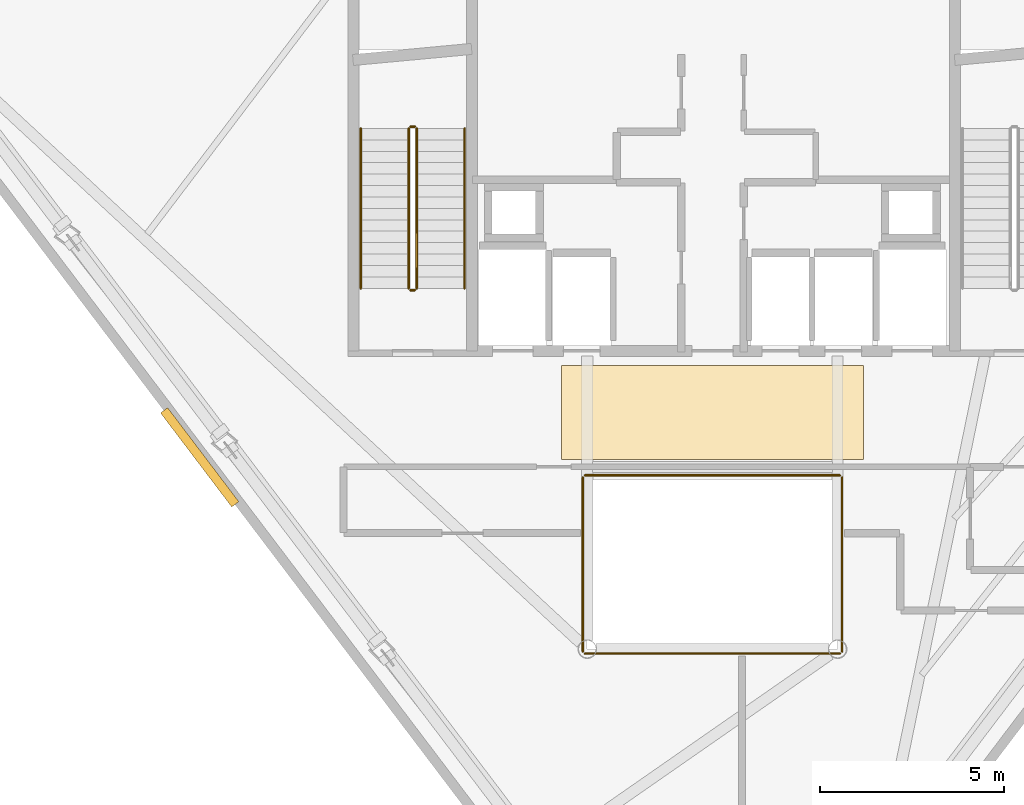
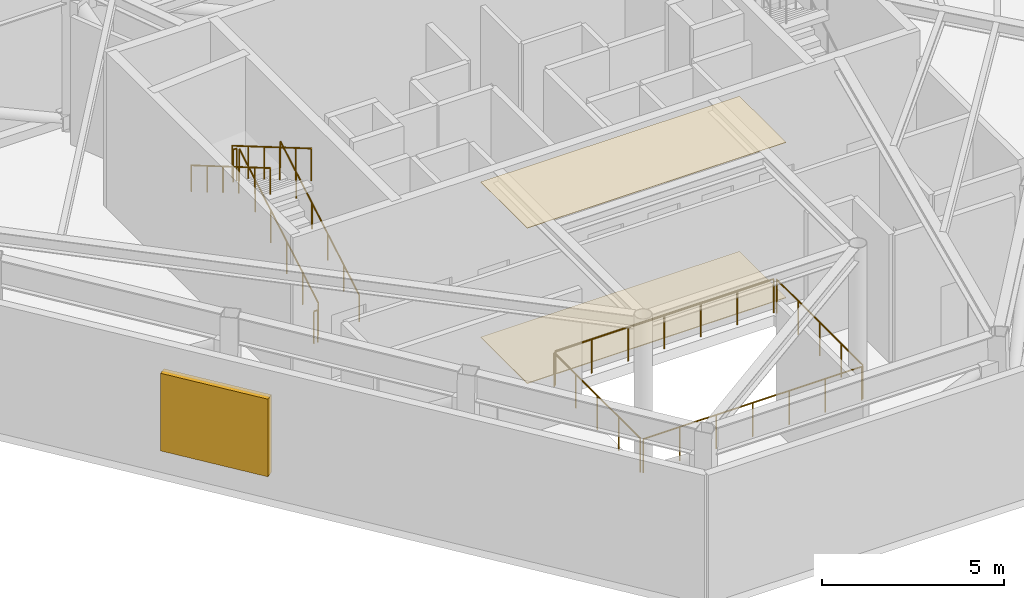
# One storey, part 7 of 9: 10 railings, 2 coverings, 1 shading device.
"""IFC4 building model written with IfcOpenShell, lengths in metres."""

from ifc_helpers import new_model, si_unit, direction, frame, origin, origin_2d, place, context, subcontext, project, spatial, polyline, rectangle, circle, outline, extrude, material, layer, layer_set, type_object, element, save


model = new_model("IFC4")

# Units and contexts
model_context = context("Model", 3, precision=1e-05, world=origin(), true_north=direction((0.0, 1.0)))
body_context = subcontext(model_context, "Body", "Model", "MODEL_VIEW")
ifc_project = project(units=[si_unit("LENGTHUNIT", "METRE"), si_unit("AREAUNIT", "SQUARE_METRE"), si_unit("VOLUMEUNIT", "CUBIC_METRE"), si_unit("PLANEANGLEUNIT", "RADIAN"), si_unit("MASSUNIT", "GRAM", prefix="KILO")], contexts=[model_context])

# Site, building, storey
site_placement = place(None, origin())
site = spatial("IfcSite", under=ifc_project, at=site_placement, CompositionType="ELEMENT")
building_placement = place(site_placement, origin())
building = spatial("IfcBuilding", under=site, at=building_placement, Name="Zarrinselat Tower", CompositionType="ELEMENT")
storey_placement = place(building_placement, frame((0.0, 0.0, 252.9599609375)))
storey = spatial("IfcBuildingStorey", under=building, at=storey_placement, Name="L64", CompositionType="ELEMENT", Elevation=252.9599609375)

# Coverings
ifc_material_1 = material(Name="Fire-Rated Gypsum Board Partition")
ifc_layer_1 = layer(ifc_material_1, 0.014892578125)
ifc_layer_set_1 = layer_set([ifc_layer_1], Name="Fire-Rated Gypsum Board Partition")
covering_type_1 = type_object("IfcCoveringType", Name="COV-CLG-AC15", PredefinedType="CEILING", material=ifc_layer_set_1)
covering_1_placement = place(storey_placement, frame((0.0, 0.0, 5.205078125)))
element("IfcCovering", 1, at=covering_1_placement, inside=storey, type_object=covering_type_1, Name="L64 Lift Lobby Acoustic Ceiling", PredefinedType="CEILING", context=body_context, shape_type="SweptSolid", body=[
    extrude(outline(polyline([(34.300048828125, 30.35009765625), (42.5, 30.35009765625), (42.5, 32.89990234375), (34.300048828125, 32.89990234375), (34.300048828125, 30.35009765625)])), origin(), (0.0, 0.0, 1.0), 0.014892578125),
])
ifc_material_2 = material(Name="Honed Cream Travertine Stone", Category="masonry")
ifc_layer_2 = layer(ifc_material_2, 0.02490234375)
ifc_layer_set_2 = layer_set([ifc_layer_2], Name="Honed Cream Travertine Stone")
covering_type_2 = type_object("IfcCoveringType", Name="COV-FLR-ST25", PredefinedType="FLOORING", material=ifc_layer_set_2)
covering_2_placement = place(storey_placement, origin())
element("IfcCovering", 2, at=covering_2_placement, inside=storey, type_object=covering_type_2, Name="L64 Lift Lobby Stone Flooring", PredefinedType="FLOORING", context=body_context, shape_type="SweptSolid", body=[
    extrude(outline(polyline([(34.300048828125, 30.35009765625), (42.5, 30.35009765625), (42.5, 32.89990234375), (34.300048828125, 32.89990234375), (34.300048828125, 30.35009765625)])), origin(), (0.0, 0.0, 1.0), 0.025146484375),
])

# Railings
ifc_material_3 = material(Name="Double Low-E Laminated Solar Glass", Category="glass")
railing_type_1 = type_object("IfcRailingType", Name="RLG-ATRIUM-BAL", PredefinedType="BALUSTRADE", material=ifc_material_3)
railing_1_placement = place(storey_placement, frame((34.93994140625, 25.080078125, 0.0)))
element("IfcRailing", 3, at=railing_1_placement, inside=storey, type_object=railing_type_1, Name="L64 Atrium Void Glass Balustrade S", PredefinedType="BALUSTRADE", context=body_context, shape_type="SweptSolid", body=[
    extrude(circle(Radius=0.02392578125, at=origin_2d()), frame((0.0, 0.0, 1.1259765625), z_axis=(1.0, 0.0, 0.0), x_axis=(0.0, 1.0, 0.0)), (0.0, 0.0, 1.0), 6.920166015625),
    extrude(circle(Radius=0.02099609375, at=origin_2d()), origin(), (0.0, 0.0, 1.0), 1.099853515625),
    extrude(circle(Radius=0.02099609375, at=origin_2d()), frame((1.1533203125, 0.0, 0.0)), (0.0, 0.0, 1.0), 1.099853515625),
    extrude(circle(Radius=0.02099609375, at=origin_2d()), frame((2.306640625, 0.0, 0.0)), (0.0, 0.0, 1.0), 1.099853515625),
    extrude(circle(Radius=0.02099609375, at=origin_2d()), frame((3.4599609375, 0.0, 0.0)), (0.0, 0.0, 1.0), 1.099853515625),
    extrude(circle(Radius=0.02099609375, at=origin_2d()), frame((4.613525390625, 0.0, 0.0)), (0.0, 0.0, 1.0), 1.099853515625),
    extrude(circle(Radius=0.02099609375, at=origin_2d()), frame((5.766845703125, 0.0, 0.0)), (0.0, 0.0, 1.0), 1.099853515625),
    extrude(circle(Radius=0.02099609375, at=origin_2d()), frame((6.920166015625, 0.0, 0.0)), (0.0, 0.0, 1.0), 1.099853515625),
])
railing_2_placement = place(storey_placement, frame((41.919921875, 25.139892578125, 0.0)))
element("IfcRailing", 4, at=railing_2_placement, inside=storey, type_object=railing_type_1, Name="L64 Atrium Void Glass Balustrade E", PredefinedType="BALUSTRADE", context=body_context, shape_type="SweptSolid", body=[
    extrude(circle(Radius=0.02392578125, at=origin_2d()), frame((0.0, 0.0, 1.1259765625), z_axis=(0.0, 1.0, 0.0), x_axis=(-1.0, 0.0, 0.0)), (0.0, 0.0, 1.0), 4.72021484375),
    extrude(circle(Radius=0.02099609375, at=origin_2d()), origin(), (0.0, 0.0, 1.0), 1.099853515625),
    extrude(circle(Radius=0.02099609375, at=origin_2d()), frame((0.0, 1.18017578125, 0.0)), (0.0, 0.0, 1.0), 1.099853515625),
    extrude(circle(Radius=0.02099609375, at=origin_2d()), frame((0.0, 2.360107421875, 0.0)), (0.0, 0.0, 1.0), 1.099853515625),
    extrude(circle(Radius=0.02099609375, at=origin_2d()), frame((0.0, 3.5400390625, 0.0)), (0.0, 0.0, 1.0), 1.099853515625),
    extrude(circle(Radius=0.02099609375, at=origin_2d()), frame((0.0, 4.72021484375, 0.0)), (0.0, 0.0, 1.0), 1.099853515625),
])
railing_3_placement = place(storey_placement, frame((41.860107421875, 29.919921875, 0.0)))
element("IfcRailing", 5, at=railing_3_placement, inside=storey, type_object=railing_type_1, Name="L64 Atrium Void Glass Balustrade N", PredefinedType="BALUSTRADE", context=body_context, shape_type="SweptSolid", body=[
    extrude(circle(Radius=0.02392578125, at=origin_2d()), frame((0.0, 0.0, 1.1259765625), z_axis=(-1.0, 0.0, 0.0), x_axis=(0.0, -1.0, 0.0)), (0.0, 0.0, 1.0), 6.920166015625),
    extrude(circle(Radius=0.02099609375, at=origin_2d()), origin(), (0.0, 0.0, 1.0), 1.099853515625),
    extrude(circle(Radius=0.02099609375, at=origin_2d()), frame((-1.1533203125, 0.0, 0.0)), (0.0, 0.0, 1.0), 1.099853515625),
    extrude(circle(Radius=0.02099609375, at=origin_2d()), frame((-2.306640625, 0.0, 0.0)), (0.0, 0.0, 1.0), 1.099853515625),
    extrude(circle(Radius=0.02099609375, at=origin_2d()), frame((-3.4599609375, 0.0, 0.0)), (0.0, 0.0, 1.0), 1.099853515625),
    extrude(circle(Radius=0.02099609375, at=origin_2d()), frame((-4.613525390625, 0.0, 0.0)), (0.0, 0.0, 1.0), 1.099853515625),
    extrude(circle(Radius=0.02099609375, at=origin_2d()), frame((-5.766845703125, 0.0, 0.0)), (0.0, 0.0, 1.0), 1.099853515625),
    extrude(circle(Radius=0.02099609375, at=origin_2d()), frame((-6.920166015625, 0.0, 0.0)), (0.0, 0.0, 1.0), 1.099853515625),
])
railing_4_placement = place(storey_placement, frame((34.8798828125, 29.860107421875, 0.0)))
element("IfcRailing", 6, at=railing_4_placement, inside=storey, type_object=railing_type_1, Name="L64 Atrium Void Glass Balustrade W", PredefinedType="BALUSTRADE", context=body_context, shape_type="SweptSolid", body=[
    extrude(circle(Radius=0.02392578125, at=origin_2d()), frame((0.0, 0.0, 1.1259765625), z_axis=(0.0, -1.0, 0.0), x_axis=(1.0, 0.0, 0.0)), (0.0, 0.0, 1.0), 4.72021484375),
    extrude(circle(Radius=0.02099609375, at=origin_2d()), origin(), (0.0, 0.0, 1.0), 1.099853515625),
    extrude(circle(Radius=0.02099609375, at=origin_2d()), frame((0.0, -1.18017578125, 0.0)), (0.0, 0.0, 1.0), 1.099853515625),
    extrude(circle(Radius=0.02099609375, at=origin_2d()), frame((0.0, -2.360107421875, 0.0)), (0.0, 0.0, 1.0), 1.099853515625),
    extrude(circle(Radius=0.02099609375, at=origin_2d()), frame((0.0, -3.5400390625, 0.0)), (0.0, 0.0, 1.0), 1.099853515625),
    extrude(circle(Radius=0.02099609375, at=origin_2d()), frame((0.0, -4.72021484375, 0.0)), (0.0, 0.0, 1.0), 1.099853515625),
])
ifc_material_4 = material(Name="Steel S355J2", Category="steel")
railing_type_2 = type_object("IfcRailingType", Name="RLG-STAIR-GUARD", PredefinedType="GUARDRAIL", material=ifc_material_4)
railing_5_placement = place(storey_placement, frame((30.3701171875, 35.0, 0.181396484375)))
element("IfcRailing", 7, at=railing_5_placement, inside=storey, type_object=railing_type_2, Name="L64 ST-1 stair guard 1", PredefinedType="GUARDRAIL", context=body_context, shape_type="SweptSolid", body=[
    extrude(circle(Radius=0.02392578125, at=origin_2d()), frame((0.0, 0.0, 1.076171875), z_axis=(0.0, 0.863184808233, 0.504888093379), x_axis=(-1.0, 0.0, 0.0)), (0.0, 0.0, 1.0), 5.028076171875),
    extrude(circle(Radius=0.02099609375, at=origin_2d()), origin(), (0.0, 0.0, 1.0), 1.050048828125),
    extrude(circle(Radius=0.02099609375, at=origin_2d()), frame((0.0, 0.867919921875, 0.5078125)), (0.0, 0.0, 1.0), 1.050048828125),
    extrude(circle(Radius=0.02099609375, at=origin_2d()), frame((0.0, 1.736083984375, 1.015380859375)), (0.0, 0.0, 1.0), 1.050048828125),
    extrude(circle(Radius=0.02099609375, at=origin_2d()), frame((0.0, 2.60400390625, 1.523193359375)), (0.0, 0.0, 1.0), 1.050048828125),
    extrude(circle(Radius=0.02099609375, at=origin_2d()), frame((0.0, 3.47216796875, 2.03076171875)), (0.0, 0.0, 1.0), 1.050048828125),
    extrude(circle(Radius=0.02099609375, at=origin_2d()), frame((0.0, 4.340087890625, 2.53857421875)), (0.0, 0.0, 1.0), 1.050048828125),
])
railing_6_placement = place(storey_placement, frame((30.320068359375, 39.389892578125, 2.719970703125)))
element("IfcRailing", 8, at=railing_6_placement, inside=storey, type_object=railing_type_2, Name="L64 ST-1 stair guard 2", PredefinedType="GUARDRAIL", context=body_context, shape_type="SweptSolid", body=[
    extrude(circle(Radius=0.02392578125, at=origin_2d()), frame((0.0, 0.0, 1.076171875), z_axis=(-1.0, 0.0, 0.0), x_axis=(0.0, -1.0, 0.0)), (0.0, 0.0, 1.0), 0.1201171875),
    extrude(circle(Radius=0.02099609375, at=origin_2d()), origin(), (0.0, 0.0, 1.0), 1.050048828125),
    extrude(circle(Radius=0.02099609375, at=origin_2d()), frame((-0.1201171875, 0.0, 0.0)), (0.0, 0.0, 1.0), 1.050048828125),
])
railing_7_placement = place(storey_placement, frame((30.14990234375, 39.340087890625, 2.9013671875)))
element("IfcRailing", 9, at=railing_7_placement, inside=storey, type_object=railing_type_2, Name="L64 ST-1 stair guard 3", PredefinedType="GUARDRAIL", context=body_context, shape_type="SweptSolid", body=[
    extrude(circle(Radius=0.02392578125, at=origin_2d()), frame((0.0, 0.0, 1.076171875), z_axis=(0.0, -0.863184808233, 0.504888093379), x_axis=(1.0, 0.0, 0.0)), (0.0, 0.0, 1.0), 5.028076171875),
    extrude(circle(Radius=0.02099609375, at=origin_2d()), origin(), (0.0, 0.0, 1.0), 1.050048828125),
    extrude(circle(Radius=0.02099609375, at=origin_2d()), frame((0.0, -0.867919921875, 0.5078125)), (0.0, 0.0, 1.0), 1.050048828125),
    extrude(circle(Radius=0.02099609375, at=origin_2d()), frame((0.0, -1.736083984375, 1.015380859375)), (0.0, 0.0, 1.0), 1.050048828125),
    extrude(circle(Radius=0.02099609375, at=origin_2d()), frame((0.0, -2.60400390625, 1.523193359375)), (0.0, 0.0, 1.0), 1.050048828125),
    extrude(circle(Radius=0.02099609375, at=origin_2d()), frame((0.0, -3.47216796875, 2.03076171875)), (0.0, 0.0, 1.0), 1.050048828125),
    extrude(circle(Radius=0.02099609375, at=origin_2d()), frame((0.0, -4.340087890625, 2.53857421875)), (0.0, 0.0, 1.0), 1.050048828125),
])
railing_8_placement = place(storey_placement, frame((30.320068359375, 34.949951171875, 0.0)))
element("IfcRailing", 10, at=railing_8_placement, inside=storey, type_object=railing_type_2, Name="L64 ST-1 stair guard 4", PredefinedType="GUARDRAIL", context=body_context, shape_type="SweptSolid", body=[
    extrude(circle(Radius=0.02392578125, at=origin_2d()), frame((0.0, 0.0, 1.076171875), z_axis=(-1.0, 0.0, 0.0), x_axis=(0.0, -1.0, 0.0)), (0.0, 0.0, 1.0), 0.1201171875),
    extrude(circle(Radius=0.02099609375, at=origin_2d()), origin(), (0.0, 0.0, 1.0), 1.050048828125),
    extrude(circle(Radius=0.02099609375, at=origin_2d()), frame((-0.1201171875, 0.0, 0.0)), (0.0, 0.0, 1.0), 1.050048828125),
])
ifc_material_5 = material(Name="Steel S355J2", Category="steel")
railing_type_3 = type_object("IfcRailingType", Name="RLG-STAIR-HAND", PredefinedType="HANDRAIL", material=ifc_material_5)
railing_9_placement = place(storey_placement, frame((31.669921875, 35.0, 0.181396484375)))
element("IfcRailing", 11, at=railing_9_placement, inside=storey, type_object=railing_type_3, Name="L64 ST-1 stair handrail 1", PredefinedType="HANDRAIL", context=body_context, shape_type="SweptSolid", body=[
    extrude(circle(Radius=0.02392578125, at=origin_2d()), frame((0.0, 0.0, 0.8759765625), z_axis=(0.0, 0.863184808233, 0.504888093379), x_axis=(-1.0, 0.0, 0.0)), (0.0, 0.0, 1.0), 5.028076171875),
    extrude(circle(Radius=0.02099609375, at=origin_2d()), origin(), (0.0, 0.0, 1.0), 0.849853515625),
    extrude(circle(Radius=0.02099609375, at=origin_2d()), frame((0.0, 0.867919921875, 0.5078125)), (0.0, 0.0, 1.0), 0.849853515625),
    extrude(circle(Radius=0.02099609375, at=origin_2d()), frame((0.0, 1.736083984375, 1.015380859375)), (0.0, 0.0, 1.0), 0.849853515625),
    extrude(circle(Radius=0.02099609375, at=origin_2d()), frame((0.0, 2.60400390625, 1.523193359375)), (0.0, 0.0, 1.0), 0.849853515625),
    extrude(circle(Radius=0.02099609375, at=origin_2d()), frame((0.0, 3.47216796875, 2.03076171875)), (0.0, 0.0, 1.0), 0.849853515625),
    extrude(circle(Radius=0.02099609375, at=origin_2d()), frame((0.0, 4.340087890625, 2.53857421875)), (0.0, 0.0, 1.0), 0.849853515625),
])
railing_10_placement = place(storey_placement, frame((28.85009765625, 39.340087890625, 2.9013671875)))
element("IfcRailing", 12, at=railing_10_placement, inside=storey, type_object=railing_type_3, Name="L64 ST-1 stair handrail 2", PredefinedType="HANDRAIL", context=body_context, shape_type="SweptSolid", body=[
    extrude(circle(Radius=0.02392578125, at=origin_2d()), frame((0.0, 0.0, 0.8759765625), z_axis=(0.0, -0.863184808233, 0.504888093379), x_axis=(1.0, 0.0, 0.0)), (0.0, 0.0, 1.0), 5.028076171875),
    extrude(circle(Radius=0.02099609375, at=origin_2d()), origin(), (0.0, 0.0, 1.0), 0.849853515625),
    extrude(circle(Radius=0.02099609375, at=origin_2d()), frame((0.0, -0.867919921875, 0.5078125)), (0.0, 0.0, 1.0), 0.849853515625),
    extrude(circle(Radius=0.02099609375, at=origin_2d()), frame((0.0, -1.736083984375, 1.015380859375)), (0.0, 0.0, 1.0), 0.849853515625),
    extrude(circle(Radius=0.02099609375, at=origin_2d()), frame((0.0, -2.60400390625, 1.523193359375)), (0.0, 0.0, 1.0), 0.849853515625),
    extrude(circle(Radius=0.02099609375, at=origin_2d()), frame((0.0, -3.47216796875, 2.03076171875)), (0.0, 0.0, 1.0), 0.849853515625),
    extrude(circle(Radius=0.02099609375, at=origin_2d()), frame((0.0, -4.340087890625, 2.53857421875)), (0.0, 0.0, 1.0), 0.849853515625),
])

# Shading device
ifc_material_6 = material(Name="Extruded Aluminium Alloy EN AW-6063 T6", Category="aluminium")
shading_device_type = type_object("IfcShadingDeviceType", Name="SHD-PLANT-LOUVRE", PredefinedType="JALOUSIE", material=ifc_material_6)
shading_device_placement = place(storey_placement, frame((24.4755859375, 30.410400390625, 0.800048828125), z_axis=(0.0, 0.0, 1.0), x_axis=(0.603858614345, -0.797091446373, 0.0)))
element("IfcShadingDevice", 13, at=shading_device_placement, inside=storey, type_object=shading_device_type, Name="L64 Acoustic Plant Intake Louvre 3", PredefinedType="JALOUSIE", context=body_context, shape_type="SweptSolid", body=[
    extrude(rectangle(XDim=3.199951171875, YDim=0.239990234375, at=origin_2d()), origin(), (0.0, 0.0, 1.0), 2.60009765625),
])

save(model, "model.ifc")
